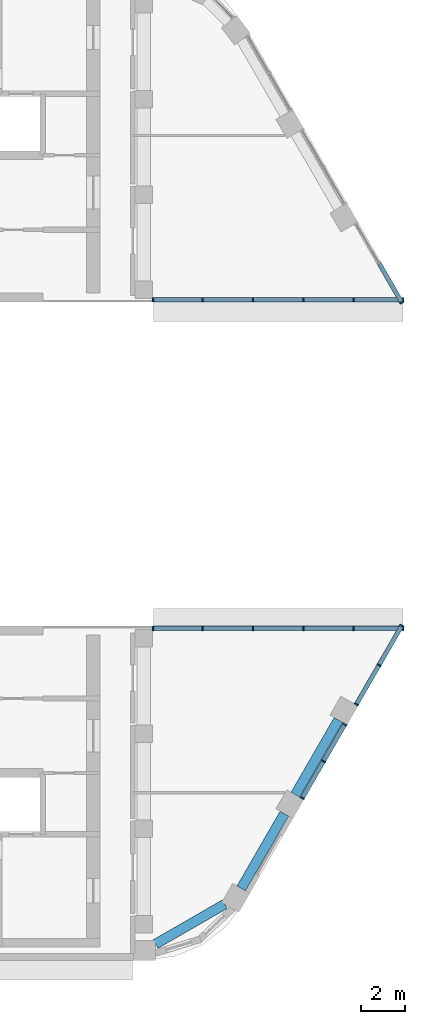
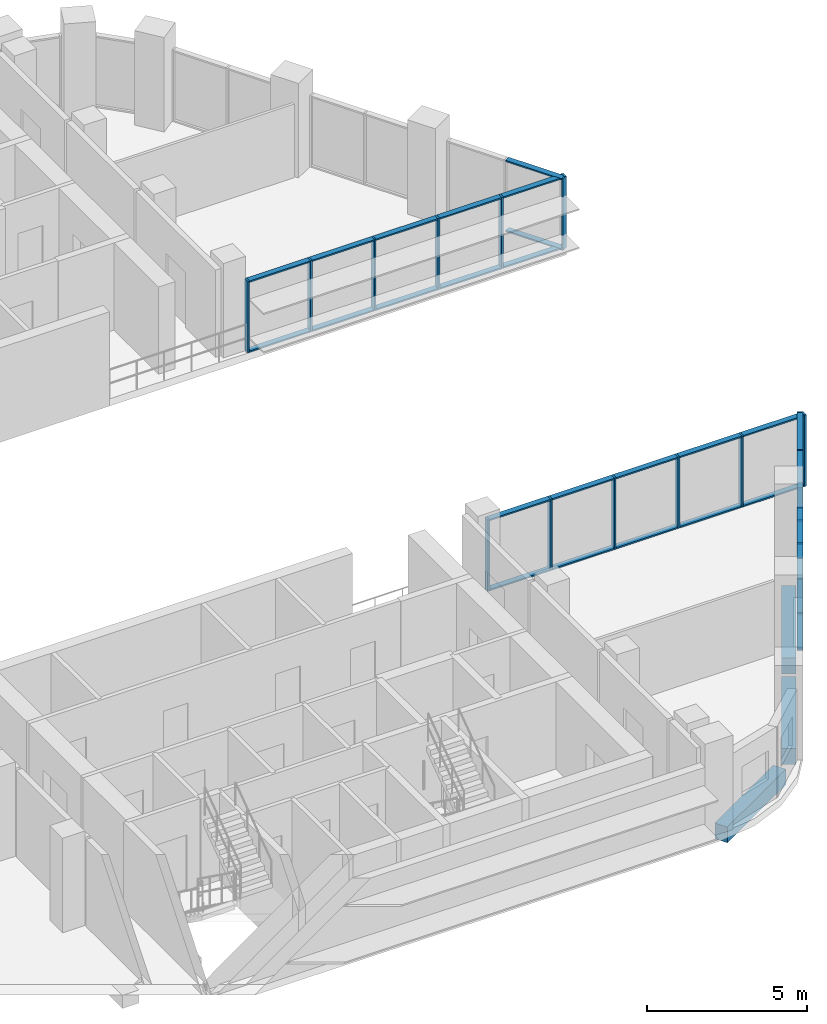
# One storey, part 4 of 14: 49 members, 3 beams, 5 elements without a shape of their own.
"""IFC4 building model written with IfcOpenShell, lengths in metres."""

from ifc_helpers import new_model, si_unit, direction, frame, origin, origin_2d, place, context, subcontext, project, spatial, rectangle, extrude, material, layer, layer_set, material_profile, profile_set, type_object, element, aggregate, save


model = new_model("IFC4")

# Units and contexts
model_context = context("Model", 3, precision=1e-05, world=origin(), true_north=direction((0.0, 1.0)))
body_context = subcontext(model_context, "Body", "Model", "MODEL_VIEW")
ifc_project = project(units=[si_unit("LENGTHUNIT", "METRE"), si_unit("AREAUNIT", "SQUARE_METRE"), si_unit("VOLUMEUNIT", "CUBIC_METRE"), si_unit("PLANEANGLEUNIT", "RADIAN"), si_unit("MASSUNIT", "GRAM", prefix="KILO")], contexts=[model_context])

# Site, building, storey
site_placement = place(None, origin())
site = spatial("IfcSite", under=ifc_project, at=site_placement, CompositionType="ELEMENT")
building_placement = place(site_placement, origin())
building = spatial("IfcBuilding", under=site, at=building_placement, Name="Nakaniwa Court", CompositionType="ELEMENT")
storey_placement = place(building_placement, frame((0.0, 0.0, 279.60009765625)))
storey = spatial("IfcBuildingStorey", under=building, at=storey_placement, Name="C03", CompositionType="ELEMENT", Elevation=279.60009765625)

# Beams
ifc_material_1 = material(Name="Concrete C80/100", Category="concrete")
ifc_material_profile_1 = material_profile(ifc_material_1, rectangle(XDim=0.449951171875, YDim=0.60009765625, at=origin_2d()), Name="Concrete C80/100 RC 450x600 spandrel beam")
ifc_profile_set_1 = profile_set([ifc_material_profile_1], Name="Concrete C80/100")
beam_type = type_object("IfcBeamType", Name="Concrete C80/100 RC 450x600 spandrel beam", PredefinedType="BEAM", material=ifc_profile_set_1)
beam_placement = place(storey_placement, frame((90.53955078125, 58.08837890625, -0.5751953125), z_axis=(0.866335820263, 0.49946195704, 0.0), x_axis=(-0.49946195704, 0.866335820263, 0.0)))
element("IfcBeam", 1, at=beam_placement, inside=storey, type_object=beam_type, Name="SPANDREL BEAM", PredefinedType="BEAM", context=body_context, shape_type="SweptSolid", body=[
    extrude(rectangle(XDim=0.449951171875, YDim=0.60009765625, at=origin_2d()), origin(), (0.0, 0.0, 1.0), 3.6513671875),
])
for number, where, z_axis, x_axis, name in (
    (2, (94.453125, 60.633544921875, -0.5751953125), (0.499974795965, 0.866039954852, 0.0), (-0.866039954852, 0.499974795965, 0.0), "SPANDREL BEAM"),
    (3, (96.921142578125, 64.908447265625, -0.5751953125), (0.500021313302, 0.866013098194, 0.0), (-0.866013098194, 0.500021313302, 0.0), "SPANDREL BEAM"),
):
    element("IfcBeam", number, at=place(storey_placement, frame(where, z_axis=z_axis, x_axis=x_axis)), inside=storey, type_object=beam_type, Name=name, PredefinedType="BEAM", context=body_context, shape_type="SweptSolid", body=[
        extrude(rectangle(XDim=0.449951171875, YDim=0.60009765625, at=origin_2d()), origin(), (0.0, 0.0, 1.0), 3.936279296875),
    ])

# Curtain wall, members
ifc_material_2 = material(Name="Black anodised aluminium frame with dark low-E laminated double glazing", Category="aluminium")
ifc_layer = layer(ifc_material_2, 0.199951171875)
ifc_layer_set = layer_set([ifc_layer], Name="Black anodised aluminium frame with dark low-E laminated double glazing")
curtain_wall_type = type_object("IfcCurtainWallType", Name="Crown curtain wall", PredefinedType="NOTDEFINED", material=ifc_layer_set)
curtain_wall_1_placement = place(storey_placement, origin())
curtain_wall_1 = element("IfcCurtainWall", 4, at=curtain_wall_1_placement, inside=storey, type_object=curtain_wall_type, Name="C03 curtain wall CW4 01", PredefinedType="NOTDEFINED")
ifc_material_3 = material(Name="Black anodised aluminium extrusion", Category="aluminium")
ifc_material_profile_2 = material_profile(ifc_material_3, rectangle(XDim=0.199951171875, YDim=0.06494140625, at=origin_2d()), Name="Crown curtain wall mullion 65x200")
ifc_profile_set_2 = profile_set([ifc_material_profile_2], Name="Black anodised aluminium extrusion")
member_type_1 = type_object("IfcMemberType", Name="Crown curtain wall mullion 65x200", PredefinedType="MULLION", material=ifc_profile_set_2)
member_1_placement = place(storey_placement, frame((97.238525390625, 64.758056640625, 0.0), z_axis=(0.0, 0.0, 1.0), x_axis=(-0.866033174523, 0.499986540445, 0.0)))
member_1 = element("IfcMember", 5, at=member_1_placement, type_object=member_type_1, Name="CW4 mullion 1", PredefinedType="MULLION", context=body_context, shape_type="SweptSolid", body=[
    extrude(rectangle(XDim=0.199951171875, YDim=0.06494140625, at=origin_2d()), origin(), (0.0, 0.0, 1.0), 2.724853515625),
])
member_2_placement = place(storey_placement, frame((98.208251953125, 66.437744140625, 0.0), z_axis=(0.0, 0.0, 1.0), x_axis=(-0.866033174523, 0.499986540445, 0.0)))
member_2 = element("IfcMember", 6, at=member_2_placement, type_object=member_type_1, Name="CW4 mullion 2", PredefinedType="MULLION", context=body_context, shape_type="SweptSolid", body=[
    extrude(rectangle(XDim=0.199951171875, YDim=0.06494140625, at=origin_2d()), origin(), (0.0, 0.0, 1.0), 2.724853515625),
])
member_3_placement = place(storey_placement, frame((99.17822265625, 68.11767578125, 0.0), z_axis=(0.0, 0.0, 1.0), x_axis=(-0.866033174523, 0.499986540445, 0.0)))
member_3 = element("IfcMember", 7, at=member_3_placement, type_object=member_type_1, Name="CW4 mullion 3", PredefinedType="MULLION", context=body_context, shape_type="SweptSolid", body=[
    extrude(rectangle(XDim=0.199951171875, YDim=0.06494140625, at=origin_2d()), origin(), (0.0, 0.0, 1.0), 2.724853515625),
])

curtain_wall_2_placement = place(storey_placement, origin())
curtain_wall_2 = element("IfcCurtainWall", 8, at=curtain_wall_2_placement, inside=storey, type_object=curtain_wall_type, Name="C03 curtain wall CW4 02", PredefinedType="NOTDEFINED")
member_4_placement = place(storey_placement, frame((99.70654296875, 69.032958984375, 0.0), z_axis=(0.0, 0.0, 1.0), x_axis=(-0.866021000852, 0.500007626024, 0.0)))
member_4 = element("IfcMember", 9, at=member_4_placement, type_object=member_type_1, Name="CW4 mullion 1", PredefinedType="MULLION", context=body_context, shape_type="SweptSolid", body=[
    extrude(rectangle(XDim=0.199951171875, YDim=0.06494140625, at=origin_2d()), origin(), (0.0, 0.0, 1.0), 2.724853515625),
])
member_5_placement = place(storey_placement, frame((100.74267578125, 70.827392578125, 0.0), z_axis=(0.0, 0.0, 1.0), x_axis=(-0.866021000852, 0.500007626024, 0.0)))
member_5 = element("IfcMember", 10, at=member_5_placement, type_object=member_type_1, Name="CW4 mullion 2", PredefinedType="MULLION", context=body_context, shape_type="SweptSolid", body=[
    extrude(rectangle(XDim=0.199951171875, YDim=0.06494140625, at=origin_2d()), origin(), (0.0, 0.0, 1.0), 2.724853515625),
])
member_6_placement = place(storey_placement, frame((101.77880859375, 72.621826171875, 0.0), z_axis=(0.0, 0.0, 1.0), x_axis=(-0.866021000852, 0.500007626024, 0.0)))
member_6 = element("IfcMember", 11, at=member_6_placement, type_object=member_type_1, Name="CW4 mullion 3", PredefinedType="MULLION", context=body_context, shape_type="SweptSolid", body=[
    extrude(rectangle(XDim=0.199951171875, YDim=0.06494140625, at=origin_2d()), origin(), (0.0, 0.0, 1.0), 2.724853515625),
])

curtain_wall_3_placement = place(storey_placement, origin())
curtain_wall_3 = element("IfcCurtainWall", 12, at=curtain_wall_3_placement, inside=storey, type_object=curtain_wall_type, Name="C03 curtain wall CW4 03", PredefinedType="NOTDEFINED")
member_7_placement = place(storey_placement, frame((101.84912109375, 72.5, 0.0), z_axis=(0.0, 0.0, 1.0), x_axis=(0.0, -1.0, 0.0)))
member_7 = element("IfcMember", 13, at=member_7_placement, type_object=member_type_1, Name="CW4 mullion 1", PredefinedType="MULLION", context=body_context, shape_type="SweptSolid", body=[
    extrude(rectangle(XDim=0.199951171875, YDim=0.06494140625, at=origin_2d()), origin(), (0.0, 0.0, 1.0), 2.724853515625),
])
member_8_placement = place(storey_placement, frame((99.58447265625, 72.5, 0.0), z_axis=(0.0, 0.0, 1.0), x_axis=(0.0, -1.0, 0.0)))
member_8 = element("IfcMember", 14, at=member_8_placement, type_object=member_type_1, Name="CW4 mullion 2", PredefinedType="MULLION", context=body_context, shape_type="SweptSolid", body=[
    extrude(rectangle(XDim=0.199951171875, YDim=0.06494140625, at=origin_2d()), origin(), (0.0, 0.0, 1.0), 2.724853515625),
])
member_9_placement = place(storey_placement, frame((97.287353515625, 72.5, 0.0), z_axis=(0.0, 0.0, 1.0), x_axis=(0.0, -1.0, 0.0)))
member_9 = element("IfcMember", 15, at=member_9_placement, type_object=member_type_1, Name="CW4 mullion 3", PredefinedType="MULLION", context=body_context, shape_type="SweptSolid", body=[
    extrude(rectangle(XDim=0.199951171875, YDim=0.06494140625, at=origin_2d()), origin(), (0.0, 0.0, 1.0), 2.724853515625),
])
member_10_placement = place(storey_placement, frame((94.990234375, 72.5, 0.0), z_axis=(0.0, 0.0, 1.0), x_axis=(0.0, -1.0, 0.0)))
member_10 = element("IfcMember", 16, at=member_10_placement, type_object=member_type_1, Name="CW4 mullion 4", PredefinedType="MULLION", context=body_context, shape_type="SweptSolid", body=[
    extrude(rectangle(XDim=0.199951171875, YDim=0.06494140625, at=origin_2d()), origin(), (0.0, 0.0, 1.0), 2.724853515625),
])
member_11_placement = place(storey_placement, frame((92.693115234375, 72.5, 0.0), z_axis=(0.0, 0.0, 1.0), x_axis=(0.0, -1.0, 0.0)))
member_11 = element("IfcMember", 17, at=member_11_placement, type_object=member_type_1, Name="CW4 mullion 5", PredefinedType="MULLION", context=body_context, shape_type="SweptSolid", body=[
    extrude(rectangle(XDim=0.199951171875, YDim=0.06494140625, at=origin_2d()), origin(), (0.0, 0.0, 1.0), 2.724853515625),
])
member_12_placement = place(storey_placement, frame((90.428466796875, 72.5, 0.0), z_axis=(0.0, 0.0, 1.0), x_axis=(0.0, -1.0, 0.0)))
member_12 = element("IfcMember", 18, at=member_12_placement, type_object=member_type_1, Name="CW4 mullion 6", PredefinedType="MULLION", context=body_context, shape_type="SweptSolid", body=[
    extrude(rectangle(XDim=0.199951171875, YDim=0.06494140625, at=origin_2d()), origin(), (0.0, 0.0, 1.0), 2.724853515625),
])

curtain_wall_4_placement = place(storey_placement, origin())
curtain_wall_4 = element("IfcCurtainWall", 19, at=curtain_wall_4_placement, inside=storey, type_object=curtain_wall_type, Name="C03 curtain wall CW4 17", PredefinedType="NOTDEFINED")
member_13_placement = place(storey_placement, frame((90.428466796875, 87.5, 0.0), z_axis=(0.0, 0.0, 1.0), x_axis=(0.0, 1.0, 0.0)))
member_13 = element("IfcMember", 20, at=member_13_placement, type_object=member_type_1, Name="CW4 mullion 1", PredefinedType="MULLION", context=body_context, shape_type="SweptSolid", body=[
    extrude(rectangle(XDim=0.199951171875, YDim=0.06494140625, at=origin_2d()), origin(), (0.0, 0.0, 1.0), 2.724853515625),
])
member_14_placement = place(storey_placement, frame((92.693115234375, 87.5, 0.0), z_axis=(0.0, 0.0, 1.0), x_axis=(0.0, 1.0, 0.0)))
member_14 = element("IfcMember", 21, at=member_14_placement, type_object=member_type_1, Name="CW4 mullion 2", PredefinedType="MULLION", context=body_context, shape_type="SweptSolid", body=[
    extrude(rectangle(XDim=0.199951171875, YDim=0.06494140625, at=origin_2d()), origin(), (0.0, 0.0, 1.0), 2.724853515625),
])
member_15_placement = place(storey_placement, frame((94.990234375, 87.5, 0.0), z_axis=(0.0, 0.0, 1.0), x_axis=(0.0, 1.0, 0.0)))
member_15 = element("IfcMember", 22, at=member_15_placement, type_object=member_type_1, Name="CW4 mullion 3", PredefinedType="MULLION", context=body_context, shape_type="SweptSolid", body=[
    extrude(rectangle(XDim=0.199951171875, YDim=0.06494140625, at=origin_2d()), origin(), (0.0, 0.0, 1.0), 2.724853515625),
])
member_16_placement = place(storey_placement, frame((97.287353515625, 87.5, 0.0), z_axis=(0.0, 0.0, 1.0), x_axis=(0.0, 1.0, 0.0)))
member_16 = element("IfcMember", 23, at=member_16_placement, type_object=member_type_1, Name="CW4 mullion 4", PredefinedType="MULLION", context=body_context, shape_type="SweptSolid", body=[
    extrude(rectangle(XDim=0.199951171875, YDim=0.06494140625, at=origin_2d()), origin(), (0.0, 0.0, 1.0), 2.724853515625),
])
member_17_placement = place(storey_placement, frame((99.58447265625, 87.5, 0.0), z_axis=(0.0, 0.0, 1.0), x_axis=(0.0, 1.0, 0.0)))
member_17 = element("IfcMember", 24, at=member_17_placement, type_object=member_type_1, Name="CW4 mullion 5", PredefinedType="MULLION", context=body_context, shape_type="SweptSolid", body=[
    extrude(rectangle(XDim=0.199951171875, YDim=0.06494140625, at=origin_2d()), origin(), (0.0, 0.0, 1.0), 2.724853515625),
])
member_18_placement = place(storey_placement, frame((101.84912109375, 87.5, 0.0), z_axis=(0.0, 0.0, 1.0), x_axis=(0.0, 1.0, 0.0)))
member_18 = element("IfcMember", 25, at=member_18_placement, type_object=member_type_1, Name="CW4 mullion 6", PredefinedType="MULLION", context=body_context, shape_type="SweptSolid", body=[
    extrude(rectangle(XDim=0.199951171875, YDim=0.06494140625, at=origin_2d()), origin(), (0.0, 0.0, 1.0), 2.724853515625),
])

# Curtain wall, member
curtain_wall_5_placement = place(storey_placement, origin())
curtain_wall_5 = element("IfcCurtainWall", 26, at=curtain_wall_5_placement, inside=storey, type_object=curtain_wall_type, Name="C03 curtain wall CW4 18", PredefinedType="NOTDEFINED")
member_19_placement = place(storey_placement, frame((101.77880859375, 87.378173828125, 0.0), z_axis=(0.0, 0.0, 1.0), x_axis=(-0.866021000852, -0.500007626024, 0.0)))
member_19 = element("IfcMember", 27, at=member_19_placement, type_object=member_type_1, Name="CW4 mullion 1", PredefinedType="MULLION", context=body_context, shape_type="SweptSolid", body=[
    extrude(rectangle(XDim=0.199951171875, YDim=0.06494140625, at=origin_2d()), origin(), (0.0, 0.0, 1.0), 2.724853515625),
])

# Member
ifc_material_profile_3 = material_profile(ifc_material_3, rectangle(XDim=0.199951171875, YDim=0.054931640625, at=origin_2d()), Name="Crown curtain wall transom 55x200")
ifc_profile_set_3 = profile_set([ifc_material_profile_3], Name="Black anodised aluminium extrusion")
member_type_2 = type_object("IfcMemberType", Name="Crown curtain wall transom 55x200", PredefinedType="USERDEFINED", material=ifc_profile_set_3)
member_20_placement = place(storey_placement, frame((97.2548828125, 64.7861328125, 0.02734375), z_axis=(0.499962952589, 0.86604679206, 0.0), x_axis=(-0.86604679206, 0.499962952589, 0.0)))
member_20 = element("IfcMember", 28, at=member_20_placement, type_object=member_type_2, Name="CW4 transom 1.1", ObjectType="TRANSOM", PredefinedType="USERDEFINED", context=body_context, shape_type="SweptSolid", body=[
    extrude(rectangle(XDim=0.199951171875, YDim=0.054931640625, at=origin_2d()), origin(), (0.0, 0.0, 1.0), 1.874755859375),
])

member_21_placement = place(storey_placement, frame((97.2548828125, 64.7861328125, 2.697509765625), z_axis=(0.499962952589, 0.86604679206, 0.0), x_axis=(-0.86604679206, 0.499962952589, 0.0)))
member_21 = element("IfcMember", 29, at=member_21_placement, type_object=member_type_2, Name="CW4 transom 1.2", ObjectType="TRANSOM", PredefinedType="USERDEFINED", context=body_context, shape_type="SweptSolid", body=[
    extrude(rectangle(XDim=0.199951171875, YDim=0.054931640625, at=origin_2d()), origin(), (0.0, 0.0, 1.0), 1.874755859375),
])

member_22_placement = place(storey_placement, frame((98.224609375, 66.466064453125, 0.02734375), z_axis=(0.499962952589, 0.86604679206, 0.0), x_axis=(-0.86604679206, 0.499962952589, 0.0)))
member_22 = element("IfcMember", 30, at=member_22_placement, type_object=member_type_2, Name="CW4 transom 2.1", ObjectType="TRANSOM", PredefinedType="USERDEFINED", context=body_context, shape_type="SweptSolid", body=[
    extrude(rectangle(XDim=0.199951171875, YDim=0.054931640625, at=origin_2d()), origin(), (0.0, 0.0, 1.0), 1.874755859375),
])

member_23_placement = place(storey_placement, frame((98.224609375, 66.466064453125, 2.697509765625), z_axis=(0.499962952589, 0.86604679206, 0.0), x_axis=(-0.86604679206, 0.499962952589, 0.0)))
member_23 = element("IfcMember", 31, at=member_23_placement, type_object=member_type_2, Name="CW4 transom 2.2", ObjectType="TRANSOM", PredefinedType="USERDEFINED", context=body_context, shape_type="SweptSolid", body=[
    extrude(rectangle(XDim=0.199951171875, YDim=0.054931640625, at=origin_2d()), origin(), (0.0, 0.0, 1.0), 1.874755859375),
])

aggregate(curtain_wall_1, [member_1, member_2, member_3, member_20, member_21, member_22, member_23])

member_24_placement = place(storey_placement, frame((99.722900390625, 69.06103515625, 0.02734375), z_axis=(0.500024272756, 0.866011389449, 0.0), x_axis=(-0.866011389449, 0.500024272756, 0.0)))
member_24 = element("IfcMember", 32, at=member_24_placement, type_object=member_type_2, Name="CW4 transom 1.1", ObjectType="TRANSOM", PredefinedType="USERDEFINED", context=body_context, shape_type="SweptSolid", body=[
    extrude(rectangle(XDim=0.199951171875, YDim=0.054931640625, at=origin_2d()), origin(), (0.0, 0.0, 1.0), 2.00732421875),
])

member_25_placement = place(storey_placement, frame((99.722900390625, 69.06103515625, 2.697509765625), z_axis=(0.500024272756, 0.866011389449, 0.0), x_axis=(-0.866011389449, 0.500024272756, 0.0)))
member_25 = element("IfcMember", 33, at=member_25_placement, type_object=member_type_2, Name="CW4 transom 1.2", ObjectType="TRANSOM", PredefinedType="USERDEFINED", context=body_context, shape_type="SweptSolid", body=[
    extrude(rectangle(XDim=0.199951171875, YDim=0.054931640625, at=origin_2d()), origin(), (0.0, 0.0, 1.0), 2.00732421875),
])

member_26_placement = place(storey_placement, frame((100.759033203125, 70.85546875, 0.02734375), z_axis=(0.499933044277, 0.866064057238, 0.0), x_axis=(-0.866064057238, 0.499933044277, 0.0)))
member_26 = element("IfcMember", 34, at=member_26_placement, type_object=member_type_2, Name="CW4 transom 2.1", ObjectType="TRANSOM", PredefinedType="USERDEFINED", context=body_context, shape_type="SweptSolid", body=[
    extrude(rectangle(XDim=0.199951171875, YDim=0.054931640625, at=origin_2d()), origin(), (0.0, 0.0, 1.0), 2.007080078125),
])

member_27_placement = place(storey_placement, frame((100.759033203125, 70.85546875, 2.697509765625), z_axis=(0.499933044277, 0.866064057238, 0.0), x_axis=(-0.866064057238, 0.499933044277, 0.0)))
member_27 = element("IfcMember", 35, at=member_27_placement, type_object=member_type_2, Name="CW4 transom 2.2", ObjectType="TRANSOM", PredefinedType="USERDEFINED", context=body_context, shape_type="SweptSolid", body=[
    extrude(rectangle(XDim=0.199951171875, YDim=0.054931640625, at=origin_2d()), origin(), (0.0, 0.0, 1.0), 2.007080078125),
])

aggregate(curtain_wall_2, [member_4, member_5, member_6, member_24, member_25, member_26, member_27])

member_28_placement = place(storey_placement, frame((101.816650390625, 72.5, 0.02734375), z_axis=(-1.0, 0.0, 0.0), x_axis=(0.0, -1.0, 0.0)))
member_28 = element("IfcMember", 36, at=member_28_placement, type_object=member_type_2, Name="CW4 transom 1.1", ObjectType="TRANSOM", PredefinedType="USERDEFINED", context=body_context, shape_type="SweptSolid", body=[
    extrude(rectangle(XDim=0.199951171875, YDim=0.054931640625, at=origin_2d()), origin(), (0.0, 0.0, 1.0), 2.19970703125),
])

member_29_placement = place(storey_placement, frame((101.816650390625, 72.5, 2.697509765625), z_axis=(-1.0, 0.0, 0.0), x_axis=(0.0, -1.0, 0.0)))
member_29 = element("IfcMember", 37, at=member_29_placement, type_object=member_type_2, Name="CW4 transom 1.2", ObjectType="TRANSOM", PredefinedType="USERDEFINED", context=body_context, shape_type="SweptSolid", body=[
    extrude(rectangle(XDim=0.199951171875, YDim=0.054931640625, at=origin_2d()), origin(), (0.0, 0.0, 1.0), 2.19970703125),
])

member_30_placement = place(storey_placement, frame((99.552001953125, 72.5, 0.02734375), z_axis=(-1.0, 0.0, 0.0), x_axis=(0.0, -1.0, 0.0)))
member_30 = element("IfcMember", 38, at=member_30_placement, type_object=member_type_2, Name="CW4 transom 2.1", ObjectType="TRANSOM", PredefinedType="USERDEFINED", context=body_context, shape_type="SweptSolid", body=[
    extrude(rectangle(XDim=0.199951171875, YDim=0.054931640625, at=origin_2d()), origin(), (0.0, 0.0, 1.0), 2.232177734375),
])

member_31_placement = place(storey_placement, frame((99.552001953125, 72.5, 2.697509765625), z_axis=(-1.0, 0.0, 0.0), x_axis=(0.0, -1.0, 0.0)))
member_31 = element("IfcMember", 39, at=member_31_placement, type_object=member_type_2, Name="CW4 transom 2.2", ObjectType="TRANSOM", PredefinedType="USERDEFINED", context=body_context, shape_type="SweptSolid", body=[
    extrude(rectangle(XDim=0.199951171875, YDim=0.054931640625, at=origin_2d()), origin(), (0.0, 0.0, 1.0), 2.232177734375),
])

member_32_placement = place(storey_placement, frame((97.2548828125, 72.5, 0.02734375), z_axis=(-1.0, 0.0, 0.0), x_axis=(0.0, -1.0, 0.0)))
member_32 = element("IfcMember", 40, at=member_32_placement, type_object=member_type_2, Name="CW4 transom 3.1", ObjectType="TRANSOM", PredefinedType="USERDEFINED", context=body_context, shape_type="SweptSolid", body=[
    extrude(rectangle(XDim=0.199951171875, YDim=0.054931640625, at=origin_2d()), origin(), (0.0, 0.0, 1.0), 2.232177734375),
])

member_33_placement = place(storey_placement, frame((97.2548828125, 72.5, 2.697509765625), z_axis=(-1.0, 0.0, 0.0), x_axis=(0.0, -1.0, 0.0)))
member_33 = element("IfcMember", 41, at=member_33_placement, type_object=member_type_2, Name="CW4 transom 3.2", ObjectType="TRANSOM", PredefinedType="USERDEFINED", context=body_context, shape_type="SweptSolid", body=[
    extrude(rectangle(XDim=0.199951171875, YDim=0.054931640625, at=origin_2d()), origin(), (0.0, 0.0, 1.0), 2.232177734375),
])

member_34_placement = place(storey_placement, frame((94.957763671875, 72.5, 0.02734375), z_axis=(-1.0, 0.0, 0.0), x_axis=(0.0, -1.0, 0.0)))
member_34 = element("IfcMember", 42, at=member_34_placement, type_object=member_type_2, Name="CW4 transom 4.1", ObjectType="TRANSOM", PredefinedType="USERDEFINED", context=body_context, shape_type="SweptSolid", body=[
    extrude(rectangle(XDim=0.199951171875, YDim=0.054931640625, at=origin_2d()), origin(), (0.0, 0.0, 1.0), 2.232177734375),
])

member_35_placement = place(storey_placement, frame((94.957763671875, 72.5, 2.697509765625), z_axis=(-1.0, 0.0, 0.0), x_axis=(0.0, -1.0, 0.0)))
member_35 = element("IfcMember", 43, at=member_35_placement, type_object=member_type_2, Name="CW4 transom 4.2", ObjectType="TRANSOM", PredefinedType="USERDEFINED", context=body_context, shape_type="SweptSolid", body=[
    extrude(rectangle(XDim=0.199951171875, YDim=0.054931640625, at=origin_2d()), origin(), (0.0, 0.0, 1.0), 2.232177734375),
])

member_36_placement = place(storey_placement, frame((92.66064453125, 72.5, 0.02734375), z_axis=(-1.0, 0.0, 0.0), x_axis=(0.0, -1.0, 0.0)))
member_36 = element("IfcMember", 44, at=member_36_placement, type_object=member_type_2, Name="CW4 transom 5.1", ObjectType="TRANSOM", PredefinedType="USERDEFINED", context=body_context, shape_type="SweptSolid", body=[
    extrude(rectangle(XDim=0.199951171875, YDim=0.054931640625, at=origin_2d()), origin(), (0.0, 0.0, 1.0), 2.19970703125),
])

member_37_placement = place(storey_placement, frame((92.66064453125, 72.5, 2.697509765625), z_axis=(-1.0, 0.0, 0.0), x_axis=(0.0, -1.0, 0.0)))
member_37 = element("IfcMember", 45, at=member_37_placement, type_object=member_type_2, Name="CW4 transom 5.2", ObjectType="TRANSOM", PredefinedType="USERDEFINED", context=body_context, shape_type="SweptSolid", body=[
    extrude(rectangle(XDim=0.199951171875, YDim=0.054931640625, at=origin_2d()), origin(), (0.0, 0.0, 1.0), 2.19970703125),
])

aggregate(curtain_wall_3, [member_7, member_8, member_9, member_10, member_11, member_12, member_28, member_29, member_30, member_31, member_32, member_33, member_34, member_35, member_36, member_37])

member_38_placement = place(storey_placement, frame((90.4609375, 87.5, 0.02734375), z_axis=(1.0, 0.0, 0.0), x_axis=(0.0, 1.0, 0.0)))
member_38 = element("IfcMember", 46, at=member_38_placement, type_object=member_type_2, Name="CW4 transom 1.1", ObjectType="TRANSOM", PredefinedType="USERDEFINED", context=body_context, shape_type="SweptSolid", body=[
    extrude(rectangle(XDim=0.199951171875, YDim=0.054931640625, at=origin_2d()), origin(), (0.0, 0.0, 1.0), 2.19970703125),
])

member_39_placement = place(storey_placement, frame((90.4609375, 87.5, 2.697509765625), z_axis=(1.0, 0.0, 0.0), x_axis=(0.0, 1.0, 0.0)))
member_39 = element("IfcMember", 47, at=member_39_placement, type_object=member_type_2, Name="CW4 transom 1.2", ObjectType="TRANSOM", PredefinedType="USERDEFINED", context=body_context, shape_type="SweptSolid", body=[
    extrude(rectangle(XDim=0.199951171875, YDim=0.054931640625, at=origin_2d()), origin(), (0.0, 0.0, 1.0), 2.19970703125),
])

member_40_placement = place(storey_placement, frame((92.7255859375, 87.5, 0.02734375), z_axis=(1.0, 0.0, 0.0), x_axis=(0.0, 1.0, 0.0)))
member_40 = element("IfcMember", 48, at=member_40_placement, type_object=member_type_2, Name="CW4 transom 2.1", ObjectType="TRANSOM", PredefinedType="USERDEFINED", context=body_context, shape_type="SweptSolid", body=[
    extrude(rectangle(XDim=0.199951171875, YDim=0.054931640625, at=origin_2d()), origin(), (0.0, 0.0, 1.0), 2.232177734375),
])

member_41_placement = place(storey_placement, frame((92.7255859375, 87.5, 2.697509765625), z_axis=(1.0, 0.0, 0.0), x_axis=(0.0, 1.0, 0.0)))
member_41 = element("IfcMember", 49, at=member_41_placement, type_object=member_type_2, Name="CW4 transom 2.2", ObjectType="TRANSOM", PredefinedType="USERDEFINED", context=body_context, shape_type="SweptSolid", body=[
    extrude(rectangle(XDim=0.199951171875, YDim=0.054931640625, at=origin_2d()), origin(), (0.0, 0.0, 1.0), 2.232177734375),
])

member_42_placement = place(storey_placement, frame((95.022705078125, 87.5, 0.02734375), z_axis=(1.0, 0.0, 0.0), x_axis=(0.0, 1.0, 0.0)))
member_42 = element("IfcMember", 50, at=member_42_placement, type_object=member_type_2, Name="CW4 transom 3.1", ObjectType="TRANSOM", PredefinedType="USERDEFINED", context=body_context, shape_type="SweptSolid", body=[
    extrude(rectangle(XDim=0.199951171875, YDim=0.054931640625, at=origin_2d()), origin(), (0.0, 0.0, 1.0), 2.232177734375),
])

member_43_placement = place(storey_placement, frame((95.022705078125, 87.5, 2.697509765625), z_axis=(1.0, 0.0, 0.0), x_axis=(0.0, 1.0, 0.0)))
member_43 = element("IfcMember", 51, at=member_43_placement, type_object=member_type_2, Name="CW4 transom 3.2", ObjectType="TRANSOM", PredefinedType="USERDEFINED", context=body_context, shape_type="SweptSolid", body=[
    extrude(rectangle(XDim=0.199951171875, YDim=0.054931640625, at=origin_2d()), origin(), (0.0, 0.0, 1.0), 2.232177734375),
])

member_44_placement = place(storey_placement, frame((97.31982421875, 87.5, 0.02734375), z_axis=(1.0, 0.0, 0.0), x_axis=(0.0, 1.0, 0.0)))
member_44 = element("IfcMember", 52, at=member_44_placement, type_object=member_type_2, Name="CW4 transom 4.1", ObjectType="TRANSOM", PredefinedType="USERDEFINED", context=body_context, shape_type="SweptSolid", body=[
    extrude(rectangle(XDim=0.199951171875, YDim=0.054931640625, at=origin_2d()), origin(), (0.0, 0.0, 1.0), 2.232177734375),
])

member_45_placement = place(storey_placement, frame((97.31982421875, 87.5, 2.697509765625), z_axis=(1.0, 0.0, 0.0), x_axis=(0.0, 1.0, 0.0)))
member_45 = element("IfcMember", 53, at=member_45_placement, type_object=member_type_2, Name="CW4 transom 4.2", ObjectType="TRANSOM", PredefinedType="USERDEFINED", context=body_context, shape_type="SweptSolid", body=[
    extrude(rectangle(XDim=0.199951171875, YDim=0.054931640625, at=origin_2d()), origin(), (0.0, 0.0, 1.0), 2.232177734375),
])

member_46_placement = place(storey_placement, frame((99.616943359375, 87.5, 0.02734375), z_axis=(1.0, 0.0, 0.0), x_axis=(0.0, 1.0, 0.0)))
member_46 = element("IfcMember", 54, at=member_46_placement, type_object=member_type_2, Name="CW4 transom 5.1", ObjectType="TRANSOM", PredefinedType="USERDEFINED", context=body_context, shape_type="SweptSolid", body=[
    extrude(rectangle(XDim=0.199951171875, YDim=0.054931640625, at=origin_2d()), origin(), (0.0, 0.0, 1.0), 2.19970703125),
])

member_47_placement = place(storey_placement, frame((99.616943359375, 87.5, 2.697509765625), z_axis=(1.0, 0.0, 0.0), x_axis=(0.0, 1.0, 0.0)))
member_47 = element("IfcMember", 55, at=member_47_placement, type_object=member_type_2, Name="CW4 transom 5.2", ObjectType="TRANSOM", PredefinedType="USERDEFINED", context=body_context, shape_type="SweptSolid", body=[
    extrude(rectangle(XDim=0.199951171875, YDim=0.054931640625, at=origin_2d()), origin(), (0.0, 0.0, 1.0), 2.19970703125),
])

aggregate(curtain_wall_4, [member_13, member_14, member_15, member_16, member_17, member_18, member_38, member_39, member_40, member_41, member_42, member_43, member_44, member_45, member_46, member_47])

member_48_placement = place(storey_placement, frame((101.762451171875, 87.40625, 0.02734375), z_axis=(-0.499933044277, 0.866064057238, 0.0), x_axis=(-0.866064057238, -0.499933044277, 0.0)))
member_48 = element("IfcMember", 56, at=member_48_placement, type_object=member_type_2, Name="CW4 transom 1.1", ObjectType="TRANSOM", PredefinedType="USERDEFINED", context=body_context, shape_type="SweptSolid", body=[
    extrude(rectangle(XDim=0.199951171875, YDim=0.054931640625, at=origin_2d()), origin(), (0.0, 0.0, 1.0), 2.007080078125),
])

member_49_placement = place(storey_placement, frame((101.762451171875, 87.40625, 2.697509765625), z_axis=(-0.499933044277, 0.866064057238, 0.0), x_axis=(-0.866064057238, -0.499933044277, 0.0)))
member_49 = element("IfcMember", 57, at=member_49_placement, type_object=member_type_2, Name="CW4 transom 1.2", ObjectType="TRANSOM", PredefinedType="USERDEFINED", context=body_context, shape_type="SweptSolid", body=[
    extrude(rectangle(XDim=0.199951171875, YDim=0.054931640625, at=origin_2d()), origin(), (0.0, 0.0, 1.0), 2.007080078125),
])

aggregate(curtain_wall_5, [member_19, member_48, member_49])

save(model, "model.ifc")
